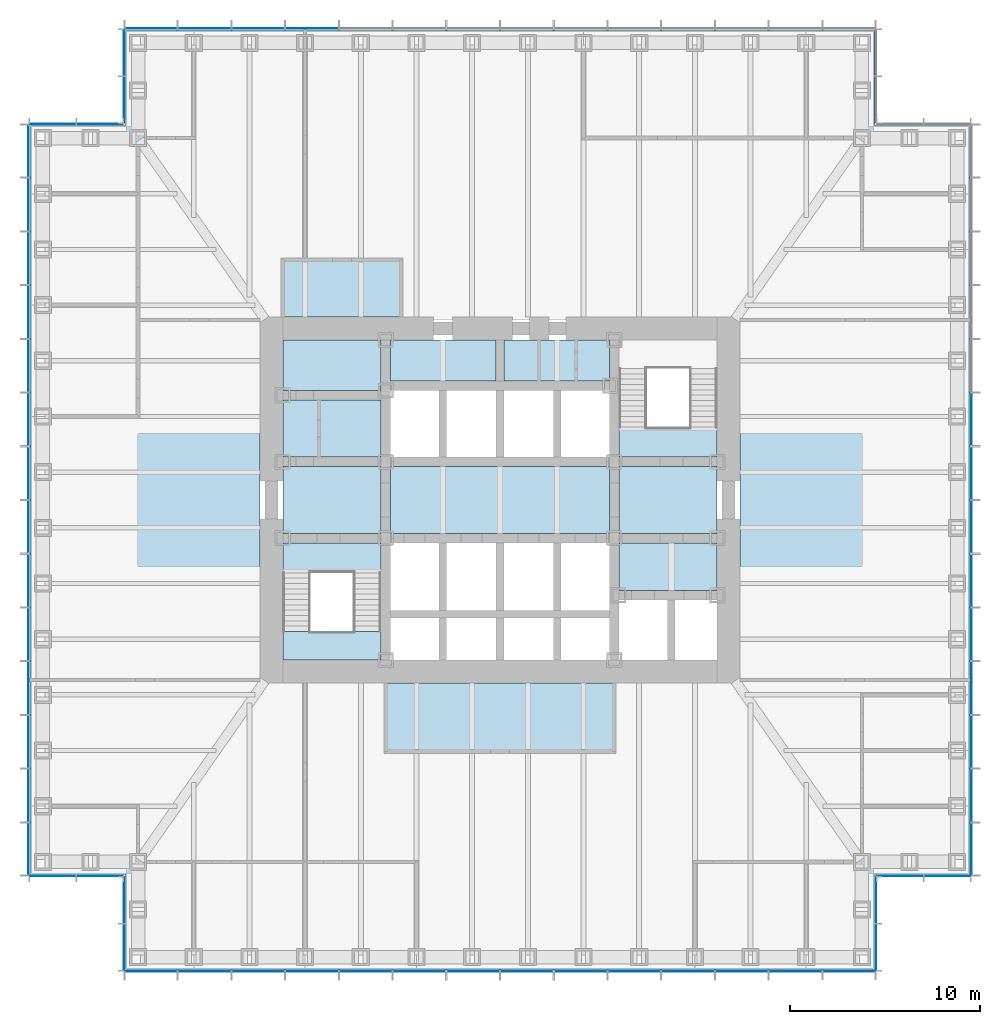
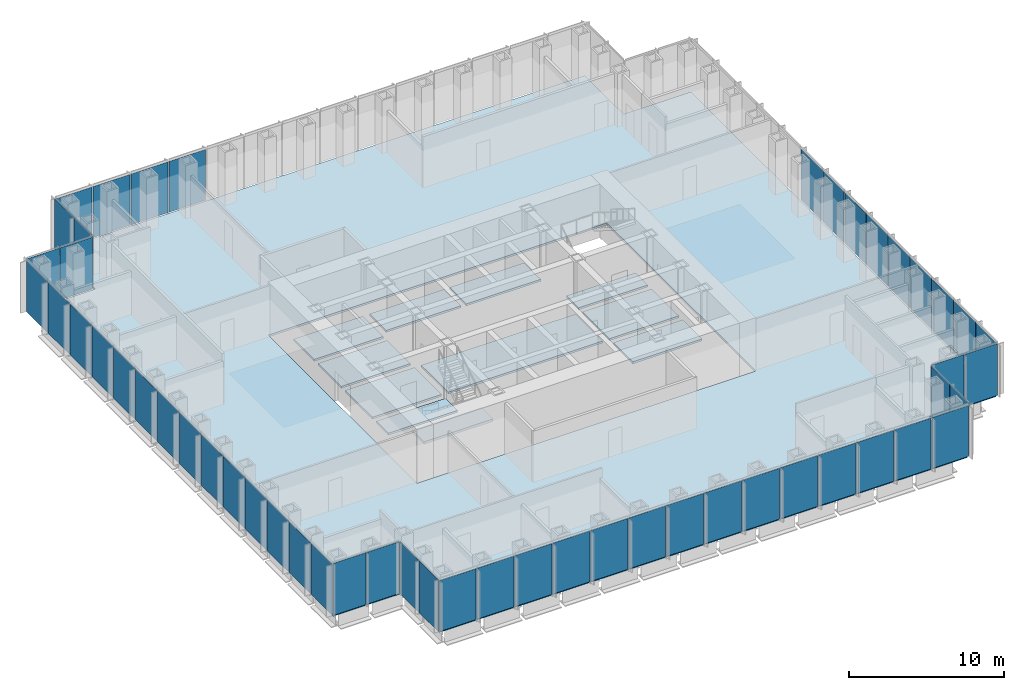
# One storey, part 7 of 17: 53 plates, 12 slabs, 11 elements without a shape of their own.
"""IFC4 building model written with IfcOpenShell, lengths in metres."""

import ifcopenshell
import ifcopenshell.guid

model = None  # the IFC model being written
_history = None  # IfcOwnerHistory: only IFC2X3 demands one
_inside = {}  # id of a spatial element -> (the spatial element, [elements in it])
_under = {}  # id of a project, library or spatial element -> (it, [spatial elements below it])
_declared = {}  # id of a project -> (the project, [libraries it declares])
_typed = {}  # id of a type object -> (the type object, [elements of that type])
_made_of = {}  # id of a material, layer set ... -> (it, [elements and type objects made of it])


def new_model(schema):
    """Start an empty IFC model of exactly this schema.

    Asked for "IFC4X3", IfcOpenShell would pick the latest addendum, in which some entities
    have other attributes; the version numbers below select the first issue.
    IFC2X3 requires an IfcOwnerHistory on every rooted entity: one is made here for all.
    """
    global model, _history
    if schema == "IFC4X3":
        model = ifcopenshell.file(schema_version=(4, 3, 0, 0))
    else:
        model = ifcopenshell.file(schema=schema)
    _inside.clear()
    _under.clear()
    _declared.clear()
    _typed.clear()
    _made_of.clear()
    _history = None
    if model.schema == "IFC2X3":
        org = make("IfcOrganization", Name="unknown")
        user = make(
            "IfcPersonAndOrganization",
            ThePerson=make("IfcPerson", FamilyName="unknown"),
            TheOrganization=org,
        )
        app = make(
            "IfcApplication",
            ApplicationDeveloper=org,
            Version="unknown",
            ApplicationFullName="unknown",
            ApplicationIdentifier="unknown",
        )
        _history = make(
            "IfcOwnerHistory",
            OwningUser=user,
            OwningApplication=app,
            ChangeAction="ADDED",
            CreationDate=0,
        )
    return model


def make(cls, **values):
    """One entity of the class cls with the attributes given. An attribute that is None is left unset."""
    return model.create_entity(
        cls, **{name: value for name, value in values.items() if value is not None}
    )


def rooted(cls, **values):
    """An entity with a GlobalId (a new one), such as an element, a storey or a relation."""
    return make(cls, GlobalId=ifcopenshell.guid.new(), OwnerHistory=_history, **values)


def si_unit(unit_type, name, prefix=None):
    """IfcSIUnit, for example si_unit("LENGTHUNIT", "METRE", prefix="MILLI")."""
    return make("IfcSIUnit", UnitType=unit_type, Prefix=prefix, Name=name)


def assignment(units):
    """IfcUnitAssignment: the units of a project."""
    return None if units is None else make("IfcUnitAssignment", Units=units)


def point(xyz):
    """IfcCartesianPoint."""
    return None if xyz is None else make("IfcCartesianPoint", Coordinates=xyz)


def direction(xyz):
    """IfcDirection."""
    return None if xyz is None else make("IfcDirection", DirectionRatios=xyz)


def frame(location, z_axis=None, x_axis=None):
    """IfcAxis2Placement3D, a coordinate frame: its origin and axes. An axis left out is left unset."""
    return make(
        "IfcAxis2Placement3D",
        Location=point(location),
        Axis=direction(z_axis),
        RefDirection=direction(x_axis),
    )


def frame_2d(location, x_axis=None):
    """IfcAxis2Placement2D, a coordinate frame in the plane: its origin and x axis."""
    return make(
        "IfcAxis2Placement2D", Location=point(location), RefDirection=direction(x_axis)
    )


def origin():
    """The frame at (0, 0, 0) with its axes left unset."""
    return frame((0.0, 0.0, 0.0))


def origin_2d():
    """The frame at (0, 0) in the plane with its x axis left unset."""
    return frame_2d((0.0, 0.0))


def place(relative_to, where):
    """IfcLocalPlacement: puts the frame where relative to a parent placement (None: the world)."""
    return make(
        "IfcLocalPlacement", PlacementRelTo=relative_to, RelativePlacement=where
    )


def context(
    kind, dimensions, precision=None, world=None, true_north=None, identifier=None
):
    """IfcGeometricRepresentationContext, for example the 3D "Model" context."""
    return make(
        "IfcGeometricRepresentationContext",
        ContextIdentifier=identifier,
        ContextType=kind,
        CoordinateSpaceDimension=dimensions,
        Precision=precision,
        WorldCoordinateSystem=world,
        TrueNorth=true_north,
    )


def subcontext(parent, identifier, kind, view, scale=None):
    """IfcGeometricRepresentationSubContext, for example "Body" below "Model"."""
    return make(
        "IfcGeometricRepresentationSubContext",
        ContextIdentifier=identifier,
        ContextType=kind,
        ParentContext=parent,
        TargetScale=scale,
        TargetView=view,
    )


def project(units=None, contexts=None):
    """IfcProject with its units and contexts."""
    return rooted(
        "IfcProject",
        Name="project",
        RepresentationContexts=contexts,
        UnitsInContext=assignment(units),
    )


def spatial(cls, under=None, at=None, **own):
    """A site, building, storey or space (cls), placed at a placement, below another one or the project."""
    s = rooted(cls, ObjectPlacement=at, **own)
    if under is not None:
        _under.setdefault(under.id(), (under, []))[1].append(s)
    return s


def polyline(points):
    """IfcPolyline through the points."""
    return make("IfcPolyline", Points=[point(p) for p in points])


def profile(cls, at=None, kind="AREA", **sizes):
    """A parametric profile (cls). Its sizes go by their IFC names, for example OverallWidth=200.0."""
    return make(cls, ProfileType=kind, Position=at, **sizes)


def rectangle(**sizes):
    """IfcRectangleProfileDef."""
    return profile("IfcRectangleProfileDef", **sizes)


def outline(outer, holes=None, kind="AREA"):
    """IfcArbitraryClosedProfileDef: a profile drawn as a closed curve; with holes, ...WithVoids."""
    if holes is None:
        return make("IfcArbitraryClosedProfileDef", ProfileType=kind, OuterCurve=outer)
    return make(
        "IfcArbitraryProfileDefWithVoids",
        ProfileType=kind,
        OuterCurve=outer,
        InnerCurves=holes,
    )


def extrude(swept, where, along, depth):
    """IfcExtrudedAreaSolid: the profile swept, set in the frame where, extruded along a direction by depth."""
    return make(
        "IfcExtrudedAreaSolid",
        SweptArea=swept,
        Position=where,
        ExtrudedDirection=direction(along),
        Depth=depth,
    )


def shape(context_of_items, identifier, shape_type, items):
    """IfcShapeRepresentation: the items that make up one representation, for example the "Body"."""
    return make(
        "IfcShapeRepresentation",
        ContextOfItems=context_of_items,
        RepresentationIdentifier=identifier,
        RepresentationType=shape_type,
        Items=items,
    )


def material(Name=None, Category=None):
    """IfcMaterial."""
    return make("IfcMaterial", Name=Name, Category=Category)


def layer(
    of_material, thickness, ventilated=None, Name=None, Category=None, Priority=None
):
    """IfcMaterialLayer: one layer of a wall or slab, of a material (None: an air gap)."""
    return make(
        "IfcMaterialLayer",
        Material=of_material,
        LayerThickness=thickness,
        IsVentilated=ventilated,
        Name=Name,
        Category=Category,
        Priority=Priority,
    )


def layer_set(layers, Name=None):
    """IfcMaterialLayerSet."""
    return make("IfcMaterialLayerSet", MaterialLayers=layers, LayerSetName=Name)


def made_of(thing, what):
    """Note that an element or type object is made of a material, layer set ...; save() writes the relation."""
    if what is not None:
        _made_of.setdefault(what.id(), (what, []))[1].append(thing)
    return thing


def type_object(cls, material=None, **own):
    """A type object (cls), such as IfcWallType, which elements share."""
    return made_of(rooted(cls, **own), material)


def element(
    cls,
    number,
    at=None,
    inside=None,
    cuts=None,
    type_object=None,
    material=None,
    context=None,
    identifier="Body",
    shape_type=None,
    held_by="IfcProductDefinitionShape",
    body=None,
    shapes=None,
    **own,
):
    """One element of the class cls, such as IfcWall. Its Tag is "e" and its number.

    at: its placement. inside: the storey or other place that contains it. cuts: it is an
    opening in that element (IfcRelVoidsElement). A single representation is given by context,
    identifier, shape_type and body (its items); several are given by shapes. held_by: the class
    of the entity that holds the representations. save() writes the other relations.
    """
    e = rooted(cls, Tag="e%d" % number, ObjectPlacement=at, **own)
    if body is not None:
        shapes = [shape(context, identifier, shape_type, body)]
    if shapes is not None:
        e.Representation = make(held_by, Representations=shapes)
    if inside is not None:
        _inside.setdefault(inside.id(), (inside, []))[1].append(e)
    if cuts is not None:
        rooted(
            "IfcRelVoidsElement", RelatingBuildingElement=cuts, RelatedOpeningElement=e
        )
    if type_object is not None:
        _typed.setdefault(type_object.id(), (type_object, []))[1].append(e)
    return made_of(e, material)


def aggregate(whole, parts):
    """IfcRelAggregates: a whole, such as a stair, and the parts it consists of."""
    return rooted("IfcRelAggregates", RelatingObject=whole, RelatedObjects=parts)


def save(model, path):
    """Write the relations noted so far, then the file.

    IfcRelAggregates (storeys below a building ...), IfcRelContainedInSpatialStructure (elements
    in a storey), IfcRelDefinesByType, IfcRelAssociatesMaterial and IfcRelDeclares: one each for
    every whole, place, type object, material and project.
    """
    for whole, parts in _under.values():
        aggregate(whole, parts)
    for where, things in _inside.values():
        rooted(
            "IfcRelContainedInSpatialStructure",
            RelatedElements=things,
            RelatingStructure=where,
        )
    for kind, things in _typed.values():
        rooted("IfcRelDefinesByType", RelatedObjects=things, RelatingType=kind)
    for what, things in _made_of.values():
        rooted("IfcRelAssociatesMaterial", RelatedObjects=things, RelatingMaterial=what)
    for by, libraries in _declared.values():
        rooted("IfcRelDeclares", RelatingContext=by, RelatedDefinitions=libraries)
    model.write(path)


model = new_model("IFC4")

# Units and contexts
model_context = context("Model", 3, precision=1e-05, world=origin(), true_north=direction((0.0, 1.0)))
body_context = subcontext(model_context, "Body", "Model", "MODEL_VIEW")
ifc_project = project(units=[si_unit("LENGTHUNIT", "METRE"), si_unit("AREAUNIT", "SQUARE_METRE"), si_unit("VOLUMEUNIT", "CUBIC_METRE"), si_unit("PLANEANGLEUNIT", "RADIAN"), si_unit("MASSUNIT", "GRAM", prefix="KILO")], contexts=[model_context])

# Site, building, storey
site_placement = place(None, origin())
site = spatial("IfcSite", under=ifc_project, at=site_placement, CompositionType="ELEMENT")
building_placement = place(site_placement, origin())
building = spatial("IfcBuilding", under=site, at=building_placement, Name="Daluyong Arena Tower", CompositionType="ELEMENT")
storey_placement = place(building_placement, frame((0.0, 0.0, 85.300048828125)))
storey = spatial("IfcBuildingStorey", under=building, at=storey_placement, Name="L18", CompositionType="ELEMENT", Elevation=85.300048828125)

# Curtain wall, plates
ifc_material_1 = material(Name="Bronze anodised aluminium and glass", Category="aluminium")
curtain_wall_type_1 = type_object("IfcCurtainWallType", Name="Curtain wall CW1", PredefinedType="USERDEFINED", material=ifc_material_1)
curtain_wall_1_placement = place(storey_placement, origin())
curtain_wall_1 = element("IfcCurtainWall", 1, at=curtain_wall_1_placement, inside=storey, type_object=curtain_wall_type_1, Name="curtain wall L18 S", ObjectType="UNITISED CURTAIN WALL", PredefinedType="USERDEFINED")
ifc_material_2 = material(Name="Tinted double glazed unit", Category="glass")
ifc_layer_1 = layer(ifc_material_2, 0.031982421875)
ifc_layer_set_1 = layer_set([ifc_layer_1], Name="Tinted double glazed unit")
plate_type_1 = type_object("IfcPlateType", Name="CW1 panel 32", PredefinedType="CURTAIN_PANEL", material=ifc_layer_set_1)
plate_1_placement = place(storey_placement, frame((37.6806640625, 55.25, 0.0), z_axis=(0.0, 0.0, 1.0), x_axis=(1.0, 0.0, 0.0)))
plate_1 = element("IfcPlate", 2, at=plate_1_placement, type_object=plate_type_1, Name="curtain wall L18 S panel 1", PredefinedType="CURTAIN_PANEL", context=body_context, shape_type="SweptSolid", body=[
    extrude(rectangle(XDim=2.701416015625, YDim=0.031982421875, at=origin_2d()), origin(), (0.0, 0.0, 1.0), 4.0),
])
plate_2_placement = place(storey_placement, frame((40.482177734375, 55.25, 0.0), z_axis=(0.0, 0.0, 1.0), x_axis=(1.0, 0.0, 0.0)))
plate_2 = element("IfcPlate", 3, at=plate_2_placement, type_object=plate_type_1, Name="curtain wall L18 S panel 2", PredefinedType="CURTAIN_PANEL", context=body_context, shape_type="SweptSolid", body=[
    extrude(rectangle(XDim=2.741455078125, YDim=0.031982421875, at=origin_2d()), origin(), (0.0, 0.0, 1.0), 4.0),
])
plate_3_placement = place(storey_placement, frame((43.303466796875, 55.25, 0.0), z_axis=(0.0, 0.0, 1.0), x_axis=(1.0, 0.0, 0.0)))
plate_3 = element("IfcPlate", 4, at=plate_3_placement, type_object=plate_type_1, Name="curtain wall L18 S panel 3", PredefinedType="CURTAIN_PANEL", context=body_context, shape_type="SweptSolid", body=[
    extrude(rectangle(XDim=2.741455078125, YDim=0.031982421875, at=origin_2d()), origin(), (0.0, 0.0, 1.0), 4.0),
])
plate_4_placement = place(storey_placement, frame((46.125, 55.25, 0.0), z_axis=(0.0, 0.0, 1.0), x_axis=(1.0, 0.0, 0.0)))
plate_4 = element("IfcPlate", 5, at=plate_4_placement, type_object=plate_type_1, Name="curtain wall L18 S panel 4", PredefinedType="CURTAIN_PANEL", context=body_context, shape_type="SweptSolid", body=[
    extrude(rectangle(XDim=2.741455078125, YDim=0.031982421875, at=origin_2d()), origin(), (0.0, 0.0, 1.0), 4.0),
])
plate_5_placement = place(storey_placement, frame((48.946533203125, 55.25, 0.0), z_axis=(0.0, 0.0, 1.0), x_axis=(1.0, 0.0, 0.0)))
plate_5 = element("IfcPlate", 6, at=plate_5_placement, type_object=plate_type_1, Name="curtain wall L18 S panel 5", PredefinedType="CURTAIN_PANEL", context=body_context, shape_type="SweptSolid", body=[
    extrude(rectangle(XDim=2.741455078125, YDim=0.031982421875, at=origin_2d()), origin(), (0.0, 0.0, 1.0), 4.0),
])
plate_6_placement = place(storey_placement, frame((51.767822265625, 55.25, 0.0), z_axis=(0.0, 0.0, 1.0), x_axis=(1.0, 0.0, 0.0)))
plate_6 = element("IfcPlate", 7, at=plate_6_placement, type_object=plate_type_1, Name="curtain wall L18 S panel 6", PredefinedType="CURTAIN_PANEL", context=body_context, shape_type="SweptSolid", body=[
    extrude(rectangle(XDim=2.741455078125, YDim=0.031982421875, at=origin_2d()), origin(), (0.0, 0.0, 1.0), 4.0),
])
plate_7_placement = place(storey_placement, frame((54.58935546875, 55.25, 0.0), z_axis=(0.0, 0.0, 1.0), x_axis=(1.0, 0.0, 0.0)))
plate_7 = element("IfcPlate", 8, at=plate_7_placement, type_object=plate_type_1, Name="curtain wall L18 S panel 7", PredefinedType="CURTAIN_PANEL", context=body_context, shape_type="SweptSolid", body=[
    extrude(rectangle(XDim=2.741455078125, YDim=0.031982421875, at=origin_2d()), origin(), (0.0, 0.0, 1.0), 4.0),
])
plate_8_placement = place(storey_placement, frame((57.41064453125, 55.25, 0.0), z_axis=(0.0, 0.0, 1.0), x_axis=(1.0, 0.0, 0.0)))
plate_8 = element("IfcPlate", 9, at=plate_8_placement, type_object=plate_type_1, Name="curtain wall L18 S panel 8", PredefinedType="CURTAIN_PANEL", context=body_context, shape_type="SweptSolid", body=[
    extrude(rectangle(XDim=2.741455078125, YDim=0.031982421875, at=origin_2d()), origin(), (0.0, 0.0, 1.0), 4.0),
])
plate_9_placement = place(storey_placement, frame((60.232177734375, 55.25, 0.0), z_axis=(0.0, 0.0, 1.0), x_axis=(1.0, 0.0, 0.0)))
plate_9 = element("IfcPlate", 10, at=plate_9_placement, type_object=plate_type_1, Name="curtain wall L18 S panel 9", PredefinedType="CURTAIN_PANEL", context=body_context, shape_type="SweptSolid", body=[
    extrude(rectangle(XDim=2.741455078125, YDim=0.031982421875, at=origin_2d()), origin(), (0.0, 0.0, 1.0), 4.0),
])
plate_10_placement = place(storey_placement, frame((63.053466796875, 55.25, 0.0), z_axis=(0.0, 0.0, 1.0), x_axis=(1.0, 0.0, 0.0)))
plate_10 = element("IfcPlate", 11, at=plate_10_placement, type_object=plate_type_1, Name="curtain wall L18 S panel 10", PredefinedType="CURTAIN_PANEL", context=body_context, shape_type="SweptSolid", body=[
    extrude(rectangle(XDim=2.741455078125, YDim=0.031982421875, at=origin_2d()), origin(), (0.0, 0.0, 1.0), 4.0),
])
plate_11_placement = place(storey_placement, frame((65.875, 55.25, 0.0), z_axis=(0.0, 0.0, 1.0), x_axis=(1.0, 0.0, 0.0)))
plate_11 = element("IfcPlate", 12, at=plate_11_placement, type_object=plate_type_1, Name="curtain wall L18 S panel 11", PredefinedType="CURTAIN_PANEL", context=body_context, shape_type="SweptSolid", body=[
    extrude(rectangle(XDim=2.741455078125, YDim=0.031982421875, at=origin_2d()), origin(), (0.0, 0.0, 1.0), 4.0),
])
plate_12_placement = place(storey_placement, frame((68.696533203125, 55.25, 0.0), z_axis=(0.0, 0.0, 1.0), x_axis=(1.0, 0.0, 0.0)))
plate_12 = element("IfcPlate", 13, at=plate_12_placement, type_object=plate_type_1, Name="curtain wall L18 S panel 12", PredefinedType="CURTAIN_PANEL", context=body_context, shape_type="SweptSolid", body=[
    extrude(rectangle(XDim=2.741455078125, YDim=0.031982421875, at=origin_2d()), origin(), (0.0, 0.0, 1.0), 4.0),
])
plate_13_placement = place(storey_placement, frame((71.517822265625, 55.25, 0.0), z_axis=(0.0, 0.0, 1.0), x_axis=(1.0, 0.0, 0.0)))
plate_13 = element("IfcPlate", 14, at=plate_13_placement, type_object=plate_type_1, Name="curtain wall L18 S panel 13", PredefinedType="CURTAIN_PANEL", context=body_context, shape_type="SweptSolid", body=[
    extrude(rectangle(XDim=2.741455078125, YDim=0.031982421875, at=origin_2d()), origin(), (0.0, 0.0, 1.0), 4.0),
])
plate_14_placement = place(storey_placement, frame((74.3193359375, 55.25, 0.0), z_axis=(0.0, 0.0, 1.0), x_axis=(1.0, 0.0, 0.0)))
plate_14 = element("IfcPlate", 15, at=plate_14_placement, type_object=plate_type_1, Name="curtain wall L18 S panel 14", PredefinedType="CURTAIN_PANEL", context=body_context, shape_type="SweptSolid", body=[
    extrude(rectangle(XDim=2.701416015625, YDim=0.031982421875, at=origin_2d()), origin(), (0.0, 0.0, 1.0), 4.0),
])
aggregate(curtain_wall_1, [plate_1, plate_2, plate_3, plate_4, plate_5, plate_6, plate_7, plate_8, plate_9, plate_10, plate_11, plate_12, plate_13, plate_14])

curtain_wall_2_placement = place(storey_placement, origin())
curtain_wall_2 = element("IfcCurtainWall", 16, at=curtain_wall_2_placement, inside=storey, type_object=curtain_wall_type_1, Name="curtain wall L18 E", ObjectType="UNITISED CURTAIN WALL", PredefinedType="USERDEFINED")
plate_15_placement = place(storey_placement, frame((80.75, 61.6806640625, 0.0), z_axis=(0.0, 0.0, 1.0), x_axis=(0.0, 1.0, 0.0)))
plate_15 = element("IfcPlate", 17, at=plate_15_placement, type_object=plate_type_1, Name="curtain wall L18 E panel 1", PredefinedType="CURTAIN_PANEL", context=body_context, shape_type="SweptSolid", body=[
    extrude(rectangle(XDim=2.701416015625, YDim=0.031982421875, at=origin_2d()), origin(), (0.0, 0.0, 1.0), 4.0),
])
plate_16_placement = place(storey_placement, frame((80.75, 64.482177734375, 0.0), z_axis=(0.0, 0.0, 1.0), x_axis=(0.0, 1.0, 0.0)))
plate_16 = element("IfcPlate", 18, at=plate_16_placement, type_object=plate_type_1, Name="curtain wall L18 E panel 2", PredefinedType="CURTAIN_PANEL", context=body_context, shape_type="SweptSolid", body=[
    extrude(rectangle(XDim=2.741455078125, YDim=0.031982421875, at=origin_2d()), origin(), (0.0, 0.0, 1.0), 4.0),
])
plate_17_placement = place(storey_placement, frame((80.75, 67.303466796875, 0.0), z_axis=(0.0, 0.0, 1.0), x_axis=(0.0, 1.0, 0.0)))
plate_17 = element("IfcPlate", 19, at=plate_17_placement, type_object=plate_type_1, Name="curtain wall L18 E panel 3", PredefinedType="CURTAIN_PANEL", context=body_context, shape_type="SweptSolid", body=[
    extrude(rectangle(XDim=2.741455078125, YDim=0.031982421875, at=origin_2d()), origin(), (0.0, 0.0, 1.0), 4.0),
])
plate_18_placement = place(storey_placement, frame((80.75, 70.125, 0.0), z_axis=(0.0, 0.0, 1.0), x_axis=(0.0, 1.0, 0.0)))
plate_18 = element("IfcPlate", 20, at=plate_18_placement, type_object=plate_type_1, Name="curtain wall L18 E panel 4", PredefinedType="CURTAIN_PANEL", context=body_context, shape_type="SweptSolid", body=[
    extrude(rectangle(XDim=2.741455078125, YDim=0.031982421875, at=origin_2d()), origin(), (0.0, 0.0, 1.0), 4.0),
])
plate_19_placement = place(storey_placement, frame((80.75, 72.946533203125, 0.0), z_axis=(0.0, 0.0, 1.0), x_axis=(0.0, 1.0, 0.0)))
plate_19 = element("IfcPlate", 21, at=plate_19_placement, type_object=plate_type_1, Name="curtain wall L18 E panel 5", PredefinedType="CURTAIN_PANEL", context=body_context, shape_type="SweptSolid", body=[
    extrude(rectangle(XDim=2.741455078125, YDim=0.031982421875, at=origin_2d()), origin(), (0.0, 0.0, 1.0), 4.0),
])
plate_20_placement = place(storey_placement, frame((80.75, 75.767822265625, 0.0), z_axis=(0.0, 0.0, 1.0), x_axis=(0.0, 1.0, 0.0)))
plate_20 = element("IfcPlate", 22, at=plate_20_placement, type_object=plate_type_1, Name="curtain wall L18 E panel 6", PredefinedType="CURTAIN_PANEL", context=body_context, shape_type="SweptSolid", body=[
    extrude(rectangle(XDim=2.741455078125, YDim=0.031982421875, at=origin_2d()), origin(), (0.0, 0.0, 1.0), 4.0),
])
plate_21_placement = place(storey_placement, frame((80.75, 78.58935546875, 0.0), z_axis=(0.0, 0.0, 1.0), x_axis=(0.0, 1.0, 0.0)))
plate_21 = element("IfcPlate", 23, at=plate_21_placement, type_object=plate_type_1, Name="curtain wall L18 E panel 7", PredefinedType="CURTAIN_PANEL", context=body_context, shape_type="SweptSolid", body=[
    extrude(rectangle(XDim=2.741455078125, YDim=0.031982421875, at=origin_2d()), origin(), (0.0, 0.0, 1.0), 4.0),
])
plate_22_placement = place(storey_placement, frame((80.75, 81.41064453125, 0.0), z_axis=(0.0, 0.0, 1.0), x_axis=(0.0, 1.0, 0.0)))
plate_22 = element("IfcPlate", 24, at=plate_22_placement, type_object=plate_type_1, Name="curtain wall L18 E panel 8", PredefinedType="CURTAIN_PANEL", context=body_context, shape_type="SweptSolid", body=[
    extrude(rectangle(XDim=2.741455078125, YDim=0.031982421875, at=origin_2d()), origin(), (0.0, 0.0, 1.0), 4.0),
])
plate_23_placement = place(storey_placement, frame((80.75, 84.232177734375, 0.0), z_axis=(0.0, 0.0, 1.0), x_axis=(0.0, 1.0, 0.0)))
plate_23 = element("IfcPlate", 25, at=plate_23_placement, type_object=plate_type_1, Name="curtain wall L18 E panel 9", PredefinedType="CURTAIN_PANEL", context=body_context, shape_type="SweptSolid", body=[
    extrude(rectangle(XDim=2.741455078125, YDim=0.031982421875, at=origin_2d()), origin(), (0.0, 0.0, 1.0), 4.0),
])
aggregate(curtain_wall_2, [plate_15, plate_16, plate_17, plate_18, plate_19, plate_20, plate_21, plate_22, plate_23])

curtain_wall_3_placement = place(storey_placement, origin())
curtain_wall_3 = element("IfcCurtainWall", 26, at=curtain_wall_3_placement, inside=storey, type_object=curtain_wall_type_1, Name="curtain wall L18 N", ObjectType="UNITISED CURTAIN WALL", PredefinedType="USERDEFINED")
plate_24_placement = place(storey_placement, frame((46.125, 104.75, 0.0), z_axis=(0.0, 0.0, 1.0), x_axis=(-1.0, 0.0, 0.0)))
plate_24 = element("IfcPlate", 27, at=plate_24_placement, type_object=plate_type_1, Name="curtain wall L18 N panel 11", PredefinedType="CURTAIN_PANEL", context=body_context, shape_type="SweptSolid", body=[
    extrude(rectangle(XDim=2.741455078125, YDim=0.031982421875, at=origin_2d()), origin(), (0.0, 0.0, 1.0), 4.0),
])
plate_25_placement = place(storey_placement, frame((43.303466796875, 104.75, 0.0), z_axis=(0.0, 0.0, 1.0), x_axis=(-1.0, 0.0, 0.0)))
plate_25 = element("IfcPlate", 28, at=plate_25_placement, type_object=plate_type_1, Name="curtain wall L18 N panel 12", PredefinedType="CURTAIN_PANEL", context=body_context, shape_type="SweptSolid", body=[
    extrude(rectangle(XDim=2.741455078125, YDim=0.031982421875, at=origin_2d()), origin(), (0.0, 0.0, 1.0), 4.0),
])
plate_26_placement = place(storey_placement, frame((40.482177734375, 104.75, 0.0), z_axis=(0.0, 0.0, 1.0), x_axis=(-1.0, 0.0, 0.0)))
plate_26 = element("IfcPlate", 29, at=plate_26_placement, type_object=plate_type_1, Name="curtain wall L18 N panel 13", PredefinedType="CURTAIN_PANEL", context=body_context, shape_type="SweptSolid", body=[
    extrude(rectangle(XDim=2.741455078125, YDim=0.031982421875, at=origin_2d()), origin(), (0.0, 0.0, 1.0), 4.0),
])
plate_27_placement = place(storey_placement, frame((37.6806640625, 104.75, 0.0), z_axis=(0.0, 0.0, 1.0), x_axis=(-1.0, 0.0, 0.0)))
plate_27 = element("IfcPlate", 30, at=plate_27_placement, type_object=plate_type_1, Name="curtain wall L18 N panel 14", PredefinedType="CURTAIN_PANEL", context=body_context, shape_type="SweptSolid", body=[
    extrude(rectangle(XDim=2.701416015625, YDim=0.031982421875, at=origin_2d()), origin(), (0.0, 0.0, 1.0), 4.0),
])
aggregate(curtain_wall_3, [plate_24, plate_25, plate_26, plate_27])

curtain_wall_4_placement = place(storey_placement, origin())
curtain_wall_4 = element("IfcCurtainWall", 31, at=curtain_wall_4_placement, inside=storey, type_object=curtain_wall_type_1, Name="curtain wall L18 W", ObjectType="UNITISED CURTAIN WALL", PredefinedType="USERDEFINED")
plate_28_placement = place(storey_placement, frame((31.25, 98.3193359375, 0.0), z_axis=(0.0, 0.0, 1.0), x_axis=(0.0, -1.0, 0.0)))
plate_28 = element("IfcPlate", 32, at=plate_28_placement, type_object=plate_type_1, Name="curtain wall L18 W panel 1", PredefinedType="CURTAIN_PANEL", context=body_context, shape_type="SweptSolid", body=[
    extrude(rectangle(XDim=2.701416015625, YDim=0.031982421875, at=origin_2d()), origin(), (0.0, 0.0, 1.0), 4.0),
])
plate_29_placement = place(storey_placement, frame((31.25, 95.517822265625, 0.0), z_axis=(0.0, 0.0, 1.0), x_axis=(0.0, -1.0, 0.0)))
plate_29 = element("IfcPlate", 33, at=plate_29_placement, type_object=plate_type_1, Name="curtain wall L18 W panel 2", PredefinedType="CURTAIN_PANEL", context=body_context, shape_type="SweptSolid", body=[
    extrude(rectangle(XDim=2.741455078125, YDim=0.031982421875, at=origin_2d()), origin(), (0.0, 0.0, 1.0), 4.0),
])
plate_30_placement = place(storey_placement, frame((31.25, 92.696533203125, 0.0), z_axis=(0.0, 0.0, 1.0), x_axis=(0.0, -1.0, 0.0)))
plate_30 = element("IfcPlate", 34, at=plate_30_placement, type_object=plate_type_1, Name="curtain wall L18 W panel 3", PredefinedType="CURTAIN_PANEL", context=body_context, shape_type="SweptSolid", body=[
    extrude(rectangle(XDim=2.741455078125, YDim=0.031982421875, at=origin_2d()), origin(), (0.0, 0.0, 1.0), 4.0),
])
plate_31_placement = place(storey_placement, frame((31.25, 89.875, 0.0), z_axis=(0.0, 0.0, 1.0), x_axis=(0.0, -1.0, 0.0)))
plate_31 = element("IfcPlate", 35, at=plate_31_placement, type_object=plate_type_1, Name="curtain wall L18 W panel 4", PredefinedType="CURTAIN_PANEL", context=body_context, shape_type="SweptSolid", body=[
    extrude(rectangle(XDim=2.741455078125, YDim=0.031982421875, at=origin_2d()), origin(), (0.0, 0.0, 1.0), 4.0),
])
plate_32_placement = place(storey_placement, frame((31.25, 87.053466796875, 0.0), z_axis=(0.0, 0.0, 1.0), x_axis=(0.0, -1.0, 0.0)))
plate_32 = element("IfcPlate", 36, at=plate_32_placement, type_object=plate_type_1, Name="curtain wall L18 W panel 5", PredefinedType="CURTAIN_PANEL", context=body_context, shape_type="SweptSolid", body=[
    extrude(rectangle(XDim=2.741455078125, YDim=0.031982421875, at=origin_2d()), origin(), (0.0, 0.0, 1.0), 4.0),
])
plate_33_placement = place(storey_placement, frame((31.25, 84.232177734375, 0.0), z_axis=(0.0, 0.0, 1.0), x_axis=(0.0, -1.0, 0.0)))
plate_33 = element("IfcPlate", 37, at=plate_33_placement, type_object=plate_type_1, Name="curtain wall L18 W panel 6", PredefinedType="CURTAIN_PANEL", context=body_context, shape_type="SweptSolid", body=[
    extrude(rectangle(XDim=2.741455078125, YDim=0.031982421875, at=origin_2d()), origin(), (0.0, 0.0, 1.0), 4.0),
])
plate_34_placement = place(storey_placement, frame((31.25, 81.41064453125, 0.0), z_axis=(0.0, 0.0, 1.0), x_axis=(0.0, -1.0, 0.0)))
plate_34 = element("IfcPlate", 38, at=plate_34_placement, type_object=plate_type_1, Name="curtain wall L18 W panel 7", PredefinedType="CURTAIN_PANEL", context=body_context, shape_type="SweptSolid", body=[
    extrude(rectangle(XDim=2.741455078125, YDim=0.031982421875, at=origin_2d()), origin(), (0.0, 0.0, 1.0), 4.0),
])
plate_35_placement = place(storey_placement, frame((31.25, 78.58935546875, 0.0), z_axis=(0.0, 0.0, 1.0), x_axis=(0.0, -1.0, 0.0)))
plate_35 = element("IfcPlate", 39, at=plate_35_placement, type_object=plate_type_1, Name="curtain wall L18 W panel 8", PredefinedType="CURTAIN_PANEL", context=body_context, shape_type="SweptSolid", body=[
    extrude(rectangle(XDim=2.741455078125, YDim=0.031982421875, at=origin_2d()), origin(), (0.0, 0.0, 1.0), 4.0),
])
plate_36_placement = place(storey_placement, frame((31.25, 75.767822265625, 0.0), z_axis=(0.0, 0.0, 1.0), x_axis=(0.0, -1.0, 0.0)))
plate_36 = element("IfcPlate", 40, at=plate_36_placement, type_object=plate_type_1, Name="curtain wall L18 W panel 9", PredefinedType="CURTAIN_PANEL", context=body_context, shape_type="SweptSolid", body=[
    extrude(rectangle(XDim=2.741455078125, YDim=0.031982421875, at=origin_2d()), origin(), (0.0, 0.0, 1.0), 4.0),
])
plate_37_placement = place(storey_placement, frame((31.25, 72.946533203125, 0.0), z_axis=(0.0, 0.0, 1.0), x_axis=(0.0, -1.0, 0.0)))
plate_37 = element("IfcPlate", 41, at=plate_37_placement, type_object=plate_type_1, Name="curtain wall L18 W panel 10", PredefinedType="CURTAIN_PANEL", context=body_context, shape_type="SweptSolid", body=[
    extrude(rectangle(XDim=2.741455078125, YDim=0.031982421875, at=origin_2d()), origin(), (0.0, 0.0, 1.0), 4.0),
])
plate_38_placement = place(storey_placement, frame((31.25, 70.125, 0.0), z_axis=(0.0, 0.0, 1.0), x_axis=(0.0, -1.0, 0.0)))
plate_38 = element("IfcPlate", 42, at=plate_38_placement, type_object=plate_type_1, Name="curtain wall L18 W panel 11", PredefinedType="CURTAIN_PANEL", context=body_context, shape_type="SweptSolid", body=[
    extrude(rectangle(XDim=2.741455078125, YDim=0.031982421875, at=origin_2d()), origin(), (0.0, 0.0, 1.0), 4.0),
])
plate_39_placement = place(storey_placement, frame((31.25, 67.303466796875, 0.0), z_axis=(0.0, 0.0, 1.0), x_axis=(0.0, -1.0, 0.0)))
plate_39 = element("IfcPlate", 43, at=plate_39_placement, type_object=plate_type_1, Name="curtain wall L18 W panel 12", PredefinedType="CURTAIN_PANEL", context=body_context, shape_type="SweptSolid", body=[
    extrude(rectangle(XDim=2.741455078125, YDim=0.031982421875, at=origin_2d()), origin(), (0.0, 0.0, 1.0), 4.0),
])
plate_40_placement = place(storey_placement, frame((31.25, 64.482177734375, 0.0), z_axis=(0.0, 0.0, 1.0), x_axis=(0.0, -1.0, 0.0)))
plate_40 = element("IfcPlate", 44, at=plate_40_placement, type_object=plate_type_1, Name="curtain wall L18 W panel 13", PredefinedType="CURTAIN_PANEL", context=body_context, shape_type="SweptSolid", body=[
    extrude(rectangle(XDim=2.741455078125, YDim=0.031982421875, at=origin_2d()), origin(), (0.0, 0.0, 1.0), 4.0),
])
plate_41_placement = place(storey_placement, frame((31.25, 61.6806640625, 0.0), z_axis=(0.0, 0.0, 1.0), x_axis=(0.0, -1.0, 0.0)))
plate_41 = element("IfcPlate", 45, at=plate_41_placement, type_object=plate_type_1, Name="curtain wall L18 W panel 14", PredefinedType="CURTAIN_PANEL", context=body_context, shape_type="SweptSolid", body=[
    extrude(rectangle(XDim=2.701416015625, YDim=0.031982421875, at=origin_2d()), origin(), (0.0, 0.0, 1.0), 4.0),
])
aggregate(curtain_wall_4, [plate_28, plate_29, plate_30, plate_31, plate_32, plate_33, plate_34, plate_35, plate_36, plate_37, plate_38, plate_39, plate_40, plate_41])

ifc_material_3 = material(Name="Bronze anodised aluminium and glass", Category="aluminium")
curtain_wall_type_2 = type_object("IfcCurtainWallType", Name="Curtain wall CW7", PredefinedType="USERDEFINED", material=ifc_material_3)
curtain_wall_5_placement = place(storey_placement, origin())
curtain_wall_5 = element("IfcCurtainWall", 46, at=curtain_wall_5_placement, inside=storey, type_object=curtain_wall_type_2, Name="curtain wall L18 SE-E", ObjectType="UNITISED CURTAIN WALL", PredefinedType="USERDEFINED")
ifc_material_4 = material(Name="Tinted double glazed unit", Category="glass")
ifc_layer_2 = layer(ifc_material_4, 0.028076171875)
ifc_layer_set_2 = layer_set([ifc_layer_2], Name="Tinted double glazed unit")
plate_type_2 = type_object("IfcPlateType", Name="CW7 panel 28", PredefinedType="CURTAIN_PANEL", material=ifc_layer_set_2)
plate_42_placement = place(storey_placement, frame((75.75, 56.514892578125, 0.0), z_axis=(0.0, 0.0, 1.0), x_axis=(0.0, 1.0, 0.0)))
plate_42 = element("IfcPlate", 47, at=plate_42_placement, type_object=plate_type_2, Name="curtain wall L18 SE-E panel 1", PredefinedType="CURTAIN_PANEL", context=body_context, shape_type="SweptSolid", body=[
    extrude(rectangle(XDim=2.409912109375, YDim=0.028076171875, at=origin_2d()), origin(), (0.0, 0.0, 1.0), 4.080078125),
])
plate_43_placement = place(storey_placement, frame((75.75, 58.985107421875, 0.0), z_axis=(0.0, 0.0, 1.0), x_axis=(0.0, 1.0, 0.0)))
plate_43 = element("IfcPlate", 48, at=plate_43_placement, type_object=plate_type_2, Name="curtain wall L18 SE-E panel 2", PredefinedType="CURTAIN_PANEL", context=body_context, shape_type="SweptSolid", body=[
    extrude(rectangle(XDim=2.409912109375, YDim=0.028076171875, at=origin_2d()), origin(), (0.0, 0.0, 1.0), 4.080078125),
])
aggregate(curtain_wall_5, [plate_42, plate_43])

curtain_wall_6_placement = place(storey_placement, origin())
curtain_wall_6 = element("IfcCurtainWall", 49, at=curtain_wall_6_placement, inside=storey, type_object=curtain_wall_type_2, Name="curtain wall L18 SE-S", ObjectType="UNITISED CURTAIN WALL", PredefinedType="USERDEFINED")
plate_44_placement = place(storey_placement, frame((77.014892578125, 60.25, 0.0), z_axis=(0.0, 0.0, 1.0), x_axis=(1.0, 0.0, 0.0)))
plate_44 = element("IfcPlate", 50, at=plate_44_placement, type_object=plate_type_2, Name="curtain wall L18 SE-S panel 1", PredefinedType="CURTAIN_PANEL", context=body_context, shape_type="SweptSolid", body=[
    extrude(rectangle(XDim=2.409912109375, YDim=0.028076171875, at=origin_2d()), origin(), (0.0, 0.0, 1.0), 4.080078125),
])
plate_45_placement = place(storey_placement, frame((79.485107421875, 60.25, 0.0), z_axis=(0.0, 0.0, 1.0), x_axis=(1.0, 0.0, 0.0)))
plate_45 = element("IfcPlate", 51, at=plate_45_placement, type_object=plate_type_2, Name="curtain wall L18 SE-S panel 2", PredefinedType="CURTAIN_PANEL", context=body_context, shape_type="SweptSolid", body=[
    extrude(rectangle(XDim=2.409912109375, YDim=0.028076171875, at=origin_2d()), origin(), (0.0, 0.0, 1.0), 4.080078125),
])
aggregate(curtain_wall_6, [plate_44, plate_45])

curtain_wall_7_placement = place(storey_placement, origin())
curtain_wall_7 = element("IfcCurtainWall", 52, at=curtain_wall_7_placement, inside=storey, type_object=curtain_wall_type_2, Name="curtain wall L18 NW-W", ObjectType="UNITISED CURTAIN WALL", PredefinedType="USERDEFINED")
plate_46_placement = place(storey_placement, frame((36.25, 103.485107421875, 0.0), z_axis=(0.0, 0.0, 1.0), x_axis=(0.0, -1.0, 0.0)))
plate_46 = element("IfcPlate", 53, at=plate_46_placement, type_object=plate_type_2, Name="curtain wall L18 NW-W panel 1", PredefinedType="CURTAIN_PANEL", context=body_context, shape_type="SweptSolid", body=[
    extrude(rectangle(XDim=2.409912109375, YDim=0.028076171875, at=origin_2d()), origin(), (0.0, 0.0, 1.0), 4.080078125),
])
plate_47_placement = place(storey_placement, frame((36.25, 101.014892578125, 0.0), z_axis=(0.0, 0.0, 1.0), x_axis=(0.0, -1.0, 0.0)))
plate_47 = element("IfcPlate", 54, at=plate_47_placement, type_object=plate_type_2, Name="curtain wall L18 NW-W panel 2", PredefinedType="CURTAIN_PANEL", context=body_context, shape_type="SweptSolid", body=[
    extrude(rectangle(XDim=2.409912109375, YDim=0.028076171875, at=origin_2d()), origin(), (0.0, 0.0, 1.0), 4.080078125),
])
aggregate(curtain_wall_7, [plate_46, plate_47])

curtain_wall_8_placement = place(storey_placement, origin())
curtain_wall_8 = element("IfcCurtainWall", 55, at=curtain_wall_8_placement, inside=storey, type_object=curtain_wall_type_2, Name="curtain wall L18 NW-N", ObjectType="UNITISED CURTAIN WALL", PredefinedType="USERDEFINED")
plate_48_placement = place(storey_placement, frame((34.985107421875, 99.75, 0.0), z_axis=(0.0, 0.0, 1.0), x_axis=(-1.0, 0.0, 0.0)))
plate_48 = element("IfcPlate", 56, at=plate_48_placement, type_object=plate_type_2, Name="curtain wall L18 NW-N panel 1", PredefinedType="CURTAIN_PANEL", context=body_context, shape_type="SweptSolid", body=[
    extrude(rectangle(XDim=2.409912109375, YDim=0.028076171875, at=origin_2d()), origin(), (0.0, 0.0, 1.0), 4.080078125),
])
plate_49_placement = place(storey_placement, frame((32.514892578125, 99.75, 0.0), z_axis=(0.0, 0.0, 1.0), x_axis=(-1.0, 0.0, 0.0)))
plate_49 = element("IfcPlate", 57, at=plate_49_placement, type_object=plate_type_2, Name="curtain wall L18 NW-N panel 2", PredefinedType="CURTAIN_PANEL", context=body_context, shape_type="SweptSolid", body=[
    extrude(rectangle(XDim=2.409912109375, YDim=0.028076171875, at=origin_2d()), origin(), (0.0, 0.0, 1.0), 4.080078125),
])
aggregate(curtain_wall_8, [plate_48, plate_49])

curtain_wall_9_placement = place(storey_placement, origin())
curtain_wall_9 = element("IfcCurtainWall", 58, at=curtain_wall_9_placement, inside=storey, type_object=curtain_wall_type_2, Name="curtain wall L18 SW-S", ObjectType="UNITISED CURTAIN WALL", PredefinedType="USERDEFINED")
plate_50_placement = place(storey_placement, frame((32.514892578125, 60.25, 0.0), z_axis=(0.0, 0.0, 1.0), x_axis=(1.0, 0.0, 0.0)))
plate_50 = element("IfcPlate", 59, at=plate_50_placement, type_object=plate_type_2, Name="curtain wall L18 SW-S panel 1", PredefinedType="CURTAIN_PANEL", context=body_context, shape_type="SweptSolid", body=[
    extrude(rectangle(XDim=2.409912109375, YDim=0.028076171875, at=origin_2d()), origin(), (0.0, 0.0, 1.0), 4.080078125),
])
plate_51_placement = place(storey_placement, frame((34.985107421875, 60.25, 0.0), z_axis=(0.0, 0.0, 1.0), x_axis=(1.0, 0.0, 0.0)))
plate_51 = element("IfcPlate", 60, at=plate_51_placement, type_object=plate_type_2, Name="curtain wall L18 SW-S panel 2", PredefinedType="CURTAIN_PANEL", context=body_context, shape_type="SweptSolid", body=[
    extrude(rectangle(XDim=2.409912109375, YDim=0.028076171875, at=origin_2d()), origin(), (0.0, 0.0, 1.0), 4.080078125),
])
aggregate(curtain_wall_9, [plate_50, plate_51])

curtain_wall_10_placement = place(storey_placement, origin())
curtain_wall_10 = element("IfcCurtainWall", 61, at=curtain_wall_10_placement, inside=storey, type_object=curtain_wall_type_2, Name="curtain wall L18 SW-W", ObjectType="UNITISED CURTAIN WALL", PredefinedType="USERDEFINED")
plate_52_placement = place(storey_placement, frame((36.25, 58.985107421875, 0.0), z_axis=(0.0, 0.0, 1.0), x_axis=(0.0, -1.0, 0.0)))
plate_52 = element("IfcPlate", 62, at=plate_52_placement, type_object=plate_type_2, Name="curtain wall L18 SW-W panel 1", PredefinedType="CURTAIN_PANEL", context=body_context, shape_type="SweptSolid", body=[
    extrude(rectangle(XDim=2.409912109375, YDim=0.028076171875, at=origin_2d()), origin(), (0.0, 0.0, 1.0), 4.080078125),
])
plate_53_placement = place(storey_placement, frame((36.25, 56.514892578125, 0.0), z_axis=(0.0, 0.0, 1.0), x_axis=(0.0, -1.0, 0.0)))
plate_53 = element("IfcPlate", 63, at=plate_53_placement, type_object=plate_type_2, Name="curtain wall L18 SW-W panel 2", PredefinedType="CURTAIN_PANEL", context=body_context, shape_type="SweptSolid", body=[
    extrude(rectangle(XDim=2.409912109375, YDim=0.028076171875, at=origin_2d()), origin(), (0.0, 0.0, 1.0), 4.080078125),
])
aggregate(curtain_wall_10, [plate_52, plate_53])

# Stair, slab
ifc_material_5 = material(Name="Concrete fc' 35 MPa", Category="concrete")
stair_type = type_object("IfcStairType", Name="Core exit stair", PredefinedType="HALF_TURN_STAIR", material=ifc_material_5)
stair_placement = place(storey_placement, origin())
stair = element("IfcStair", 64, at=stair_placement, inside=storey, type_object=stair_type, Name="exit stair A L18", PredefinedType="HALF_TURN_STAIR")
ifc_material_6 = material(Name="Concrete fc' 35 MPa", Category="concrete")
ifc_layer_3 = layer(ifc_material_6, 0.199951171875)
ifc_layer_set_3 = layer_set([ifc_layer_3], Name="Concrete fc' 35 MPa")
slab_type_1 = type_object("IfcSlabType", Name="Stair landing 200", PredefinedType="LANDING", material=ifc_layer_set_3)
slab_1_placement = place(storey_placement, frame((0.0, 0.0, 1.89990234375)))
slab_1 = element("IfcSlab", 65, at=slab_1_placement, type_object=slab_type_1, Name="STA landing 1", PredefinedType="LANDING", context=body_context, shape_type="SweptSolid", body=[
    extrude(outline(polyline([(44.60009765625, 71.60009765625), (49.75, 71.60009765625), (49.75, 73.094970703125), (44.60009765625, 73.094970703125), (44.60009765625, 71.60009765625)])), origin(), (0.0, 0.0, 1.0), 0.199951171875),
])
aggregate(stair, [slab_1])

# Slabs
ifc_material_7 = material(Name="Concrete fc' 35 MPa", Category="concrete")
ifc_layer_4 = layer(ifc_material_7, 0.159912109375)
ifc_layer_set_4 = layer_set([ifc_layer_4], Name="Concrete fc' 35 MPa")
slab_type_2 = type_object("IfcSlabType", Name="Tower floor slab 160", PredefinedType="FLOOR", material=ifc_layer_set_4)
slab_2_placement = place(storey_placement, frame((0.0, 0.0, -0.16015625)))
element("IfcSlab", 66, at=slab_2_placement, inside=storey, type_object=slab_type_2, Name="floor L18 part 1", PredefinedType="FLOOR", context=body_context, shape_type="SweptSolid", body=[
    extrude(outline(polyline([(49.75, 76.175048828125), (49.75, 77.75), (44.60009765625, 77.75), (44.60009765625, 76.175048828125), (49.75, 76.175048828125)])), origin(), (0.0, 0.0, 1.0), 0.16015625),
])
slab_3_placement = place(storey_placement, frame((0.0, 0.0, -0.16015625)))
element("IfcSlab", 67, at=slab_3_placement, inside=storey, type_object=slab_type_2, Name="floor L18 part 2", PredefinedType="FLOOR", context=body_context, shape_type="SweptSolid", body=[
    extrude(outline(polyline([(49.75, 78.25), (49.75, 81.75), (44.60009765625, 81.75), (44.60009765625, 78.25), (49.75, 78.25)])), origin(), (0.0, 0.0, 1.0), 0.16015625),
])
slab_4_placement = place(storey_placement, frame((0.0, 0.0, -0.16015625)))
element("IfcSlab", 68, at=slab_4_placement, inside=storey, type_object=slab_type_2, Name="floor L18 part 3", PredefinedType="FLOOR", context=body_context, shape_type="SweptSolid", body=[
    extrude(outline(polyline([(49.75, 82.25), (49.75, 85.25), (44.60009765625, 85.25), (44.60009765625, 82.25), (49.75, 82.25)])), origin(), (0.0, 0.0, 1.0), 0.16015625),
])
slab_5_placement = place(storey_placement, frame((0.0, 0.0, -0.16015625)))
element("IfcSlab", 69, at=slab_5_placement, inside=storey, type_object=slab_type_2, Name="floor L18 part 4", PredefinedType="FLOOR", context=body_context, shape_type="SweptSolid", body=[
    extrude(outline(polyline([(44.60009765625, 88.39990234375), (44.60009765625, 85.75), (49.75, 85.75), (49.75, 88.39990234375), (44.60009765625, 88.39990234375)])), origin(), (0.0, 0.0, 1.0), 0.16015625),
])
slab_6_placement = place(storey_placement, frame((0.0, 0.0, -0.16015625)))
element("IfcSlab", 70, at=slab_6_placement, inside=storey, type_object=slab_type_2, Name="floor L18 part 5", PredefinedType="FLOOR", context=body_context, shape_type="SweptSolid", body=[
    extrude(outline(polyline([(50.25, 88.39990234375), (50.25, 86.25), (55.800048828125, 86.25), (55.800048828125, 88.39990234375), (50.25, 88.39990234375)])), origin(), (0.0, 0.0, 1.0), 0.16015625),
])
slab_7_placement = place(storey_placement, frame((0.0, 0.0, -0.16015625)))
element("IfcSlab", 71, at=slab_7_placement, inside=storey, type_object=slab_type_2, Name="floor L18 part 6", PredefinedType="FLOOR", context=body_context, shape_type="SweptSolid", body=[
    extrude(outline(polyline([(36.35009765625, 60.35009765625), (36.35009765625, 55.35009765625), (75.64990234375, 55.35009765625), (75.64990234375, 60.35009765625), (80.64990234375, 60.35009765625), (80.64990234375, 99.64990234375), (75.64990234375, 99.64990234375), (75.64990234375, 104.64990234375), (36.35009765625, 104.64990234375), (36.35009765625, 99.64990234375), (31.35009765625, 99.64990234375), (31.35009765625, 60.35009765625), (36.35009765625, 60.35009765625)]), holes=[polyline([(68.60009765625, 89.60009765625), (68.60009765625, 70.39990234375), (43.39990234375, 70.39990234375), (43.39990234375, 89.60009765625), (68.60009765625, 89.60009765625)])]), origin(), (0.0, 0.0, 1.0), 0.16015625),
])
slab_8_placement = place(storey_placement, frame((0.0, 0.0, -0.16015625)))
element("IfcSlab", 72, at=slab_8_placement, inside=storey, type_object=slab_type_2, Name="floor L18 part 7", PredefinedType="FLOOR", context=body_context, shape_type="SweptSolid", body=[
    extrude(outline(polyline([(61.75, 81.75), (50.25, 81.75), (50.25, 78.25), (61.75, 78.25), (61.75, 81.75)])), origin(), (0.0, 0.0, 1.0), 0.16015625),
])
slab_9_placement = place(storey_placement, frame((0.0, 0.0, -0.16015625)))
element("IfcSlab", 73, at=slab_9_placement, inside=storey, type_object=slab_type_2, Name="floor L18 part 8", PredefinedType="FLOOR", context=body_context, shape_type="SweptSolid", body=[
    extrude(outline(polyline([(56.199951171875, 86.25), (61.75, 86.25), (61.75, 88.39990234375), (56.199951171875, 88.39990234375), (56.199951171875, 86.25)])), origin(), (0.0, 0.0, 1.0), 0.16015625),
])
slab_10_placement = place(storey_placement, frame((0.0, 0.0, -0.16015625)))
element("IfcSlab", 74, at=slab_10_placement, inside=storey, type_object=slab_type_2, Name="floor L18 part 9", PredefinedType="FLOOR", context=body_context, shape_type="SweptSolid", body=[
    extrude(outline(polyline([(67.39990234375, 82.25), (67.39990234375, 83.824951171875), (62.25, 83.824951171875), (62.25, 82.25), (67.39990234375, 82.25)])), origin(), (0.0, 0.0, 1.0), 0.16015625),
])
slab_11_placement = place(storey_placement, frame((0.0, 0.0, -0.16015625)))
element("IfcSlab", 75, at=slab_11_placement, inside=storey, type_object=slab_type_2, Name="floor L18 part 10", PredefinedType="FLOOR", context=body_context, shape_type="SweptSolid", body=[
    extrude(outline(polyline([(67.39990234375, 75.25), (67.39990234375, 77.75), (62.25, 77.75), (62.25, 75.25), (67.39990234375, 75.25)])), origin(), (0.0, 0.0, 1.0), 0.16015625),
])
slab_12_placement = place(storey_placement, frame((0.0, 0.0, -0.16015625)))
element("IfcSlab", 76, at=slab_12_placement, inside=storey, type_object=slab_type_2, Name="floor L18 part 11", PredefinedType="FLOOR", context=body_context, shape_type="SweptSolid", body=[
    extrude(outline(polyline([(67.39990234375, 78.25), (67.39990234375, 81.75), (62.25, 81.75), (62.25, 78.25), (67.39990234375, 78.25)])), origin(), (0.0, 0.0, 1.0), 0.16015625),
])

save(model, "model.ifc")
